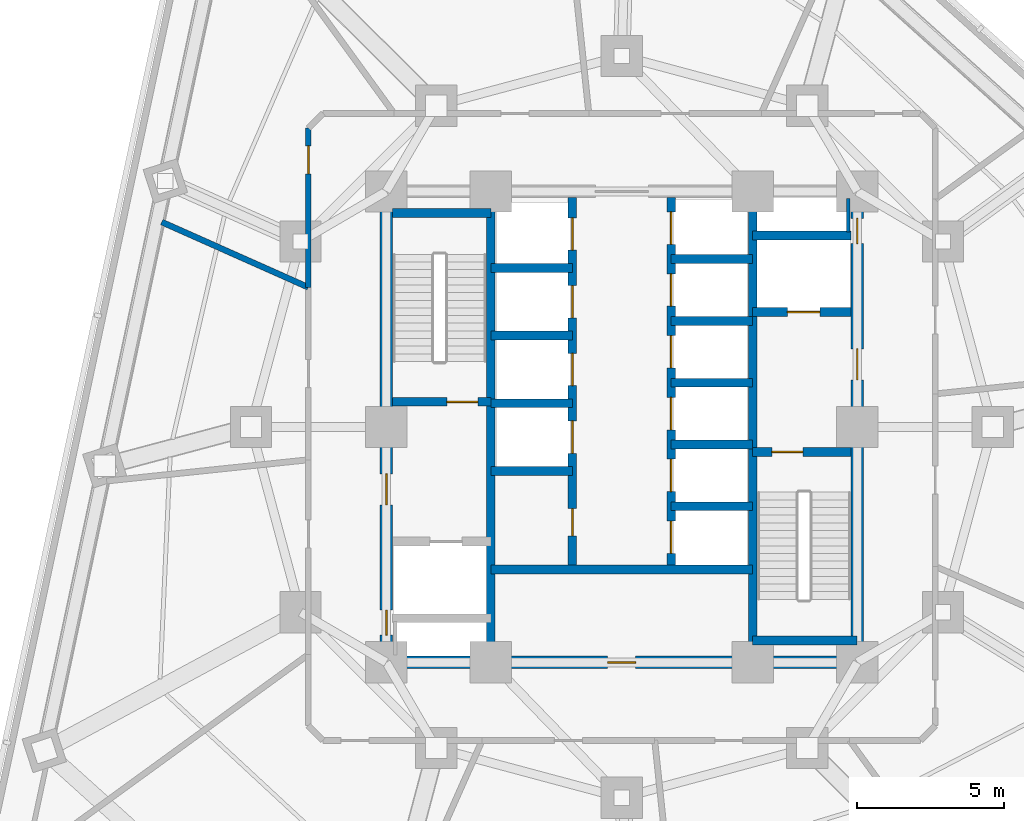
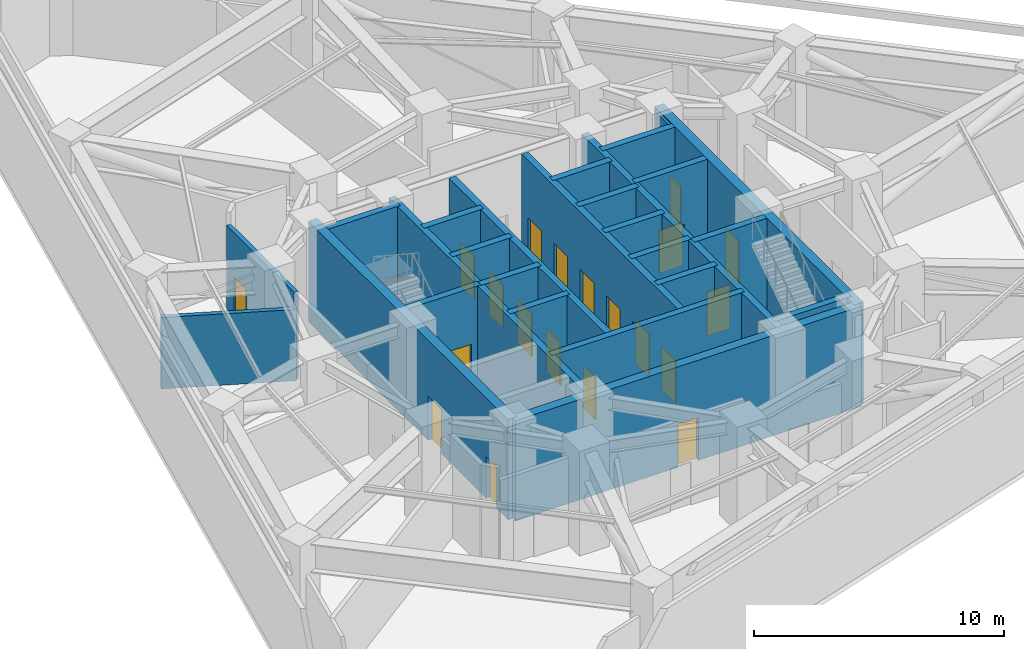
# One storey, part 4 of 10: 26 walls, 20 doors, 20 openings.
"""IFC4 building model written with IfcOpenShell, lengths in metres."""

import ifcopenshell
import ifcopenshell.guid

model = None  # the IFC model being written
_history = None  # IfcOwnerHistory: only IFC2X3 demands one
_inside = {}  # id of a spatial element -> (the spatial element, [elements in it])
_under = {}  # id of a project, library or spatial element -> (it, [spatial elements below it])
_declared = {}  # id of a project -> (the project, [libraries it declares])
_typed = {}  # id of a type object -> (the type object, [elements of that type])
_made_of = {}  # id of a material, layer set ... -> (it, [elements and type objects made of it])


def new_model(schema):
    """Start an empty IFC model of exactly this schema.

    Asked for "IFC4X3", IfcOpenShell would pick the latest addendum, in which some entities
    have other attributes; the version numbers below select the first issue.
    IFC2X3 requires an IfcOwnerHistory on every rooted entity: one is made here for all.
    """
    global model, _history
    if schema == "IFC4X3":
        model = ifcopenshell.file(schema_version=(4, 3, 0, 0))
    else:
        model = ifcopenshell.file(schema=schema)
    _inside.clear()
    _under.clear()
    _declared.clear()
    _typed.clear()
    _made_of.clear()
    _history = None
    if model.schema == "IFC2X3":
        org = make("IfcOrganization", Name="unknown")
        user = make(
            "IfcPersonAndOrganization",
            ThePerson=make("IfcPerson", FamilyName="unknown"),
            TheOrganization=org,
        )
        app = make(
            "IfcApplication",
            ApplicationDeveloper=org,
            Version="unknown",
            ApplicationFullName="unknown",
            ApplicationIdentifier="unknown",
        )
        _history = make(
            "IfcOwnerHistory",
            OwningUser=user,
            OwningApplication=app,
            ChangeAction="ADDED",
            CreationDate=0,
        )
    return model


def make(cls, **values):
    """One entity of the class cls with the attributes given. An attribute that is None is left unset."""
    return model.create_entity(
        cls, **{name: value for name, value in values.items() if value is not None}
    )


def rooted(cls, **values):
    """An entity with a GlobalId (a new one), such as an element, a storey or a relation."""
    return make(cls, GlobalId=ifcopenshell.guid.new(), OwnerHistory=_history, **values)


def si_unit(unit_type, name, prefix=None):
    """IfcSIUnit, for example si_unit("LENGTHUNIT", "METRE", prefix="MILLI")."""
    return make("IfcSIUnit", UnitType=unit_type, Prefix=prefix, Name=name)


def assignment(units):
    """IfcUnitAssignment: the units of a project."""
    return None if units is None else make("IfcUnitAssignment", Units=units)


def point(xyz):
    """IfcCartesianPoint."""
    return None if xyz is None else make("IfcCartesianPoint", Coordinates=xyz)


def direction(xyz):
    """IfcDirection."""
    return None if xyz is None else make("IfcDirection", DirectionRatios=xyz)


def frame(location, z_axis=None, x_axis=None):
    """IfcAxis2Placement3D, a coordinate frame: its origin and axes. An axis left out is left unset."""
    return make(
        "IfcAxis2Placement3D",
        Location=point(location),
        Axis=direction(z_axis),
        RefDirection=direction(x_axis),
    )


def frame_2d(location, x_axis=None):
    """IfcAxis2Placement2D, a coordinate frame in the plane: its origin and x axis."""
    return make(
        "IfcAxis2Placement2D", Location=point(location), RefDirection=direction(x_axis)
    )


def origin():
    """The frame at (0, 0, 0) with its axes left unset."""
    return frame((0.0, 0.0, 0.0))


def place(relative_to, where):
    """IfcLocalPlacement: puts the frame where relative to a parent placement (None: the world)."""
    return make(
        "IfcLocalPlacement", PlacementRelTo=relative_to, RelativePlacement=where
    )


def context(
    kind, dimensions, precision=None, world=None, true_north=None, identifier=None
):
    """IfcGeometricRepresentationContext, for example the 3D "Model" context."""
    return make(
        "IfcGeometricRepresentationContext",
        ContextIdentifier=identifier,
        ContextType=kind,
        CoordinateSpaceDimension=dimensions,
        Precision=precision,
        WorldCoordinateSystem=world,
        TrueNorth=true_north,
    )


def subcontext(parent, identifier, kind, view, scale=None):
    """IfcGeometricRepresentationSubContext, for example "Body" below "Model"."""
    return make(
        "IfcGeometricRepresentationSubContext",
        ContextIdentifier=identifier,
        ContextType=kind,
        ParentContext=parent,
        TargetScale=scale,
        TargetView=view,
    )


def project(units=None, contexts=None):
    """IfcProject with its units and contexts."""
    return rooted(
        "IfcProject",
        Name="project",
        RepresentationContexts=contexts,
        UnitsInContext=assignment(units),
    )


def spatial(cls, under=None, at=None, **own):
    """A site, building, storey or space (cls), placed at a placement, below another one or the project."""
    s = rooted(cls, ObjectPlacement=at, **own)
    if under is not None:
        _under.setdefault(under.id(), (under, []))[1].append(s)
    return s


def profile(cls, at=None, kind="AREA", **sizes):
    """A parametric profile (cls). Its sizes go by their IFC names, for example OverallWidth=200.0."""
    return make(cls, ProfileType=kind, Position=at, **sizes)


def rectangle(**sizes):
    """IfcRectangleProfileDef."""
    return profile("IfcRectangleProfileDef", **sizes)


def extrude(swept, where, along, depth):
    """IfcExtrudedAreaSolid: the profile swept, set in the frame where, extruded along a direction by depth."""
    return make(
        "IfcExtrudedAreaSolid",
        SweptArea=swept,
        Position=where,
        ExtrudedDirection=direction(along),
        Depth=depth,
    )


def shape(context_of_items, identifier, shape_type, items):
    """IfcShapeRepresentation: the items that make up one representation, for example the "Body"."""
    return make(
        "IfcShapeRepresentation",
        ContextOfItems=context_of_items,
        RepresentationIdentifier=identifier,
        RepresentationType=shape_type,
        Items=items,
    )


def material(Name=None, Category=None):
    """IfcMaterial."""
    return make("IfcMaterial", Name=Name, Category=Category)


def layer(
    of_material, thickness, ventilated=None, Name=None, Category=None, Priority=None
):
    """IfcMaterialLayer: one layer of a wall or slab, of a material (None: an air gap)."""
    return make(
        "IfcMaterialLayer",
        Material=of_material,
        LayerThickness=thickness,
        IsVentilated=ventilated,
        Name=Name,
        Category=Category,
        Priority=Priority,
    )


def layer_set(layers, Name=None):
    """IfcMaterialLayerSet."""
    return make("IfcMaterialLayerSet", MaterialLayers=layers, LayerSetName=Name)


def made_of(thing, what):
    """Note that an element or type object is made of a material, layer set ...; save() writes the relation."""
    if what is not None:
        _made_of.setdefault(what.id(), (what, []))[1].append(thing)
    return thing


def type_object(cls, material=None, **own):
    """A type object (cls), such as IfcWallType, which elements share."""
    return made_of(rooted(cls, **own), material)


def element(
    cls,
    number,
    at=None,
    inside=None,
    cuts=None,
    type_object=None,
    material=None,
    context=None,
    identifier="Body",
    shape_type=None,
    held_by="IfcProductDefinitionShape",
    body=None,
    shapes=None,
    **own,
):
    """One element of the class cls, such as IfcWall. Its Tag is "e" and its number.

    at: its placement. inside: the storey or other place that contains it. cuts: it is an
    opening in that element (IfcRelVoidsElement). A single representation is given by context,
    identifier, shape_type and body (its items); several are given by shapes. held_by: the class
    of the entity that holds the representations. save() writes the other relations.
    """
    e = rooted(cls, Tag="e%d" % number, ObjectPlacement=at, **own)
    if body is not None:
        shapes = [shape(context, identifier, shape_type, body)]
    if shapes is not None:
        e.Representation = make(held_by, Representations=shapes)
    if inside is not None:
        _inside.setdefault(inside.id(), (inside, []))[1].append(e)
    if cuts is not None:
        rooted(
            "IfcRelVoidsElement", RelatingBuildingElement=cuts, RelatedOpeningElement=e
        )
    if type_object is not None:
        _typed.setdefault(type_object.id(), (type_object, []))[1].append(e)
    return made_of(e, material)


def fill(opening, filler):
    """IfcRelFillsElement: the door or window that sits in an opening."""
    return rooted(
        "IfcRelFillsElement",
        RelatingOpeningElement=opening,
        RelatedBuildingElement=filler,
    )


def aggregate(whole, parts):
    """IfcRelAggregates: a whole, such as a stair, and the parts it consists of."""
    return rooted("IfcRelAggregates", RelatingObject=whole, RelatedObjects=parts)


def save(model, path):
    """Write the relations noted so far, then the file.

    IfcRelAggregates (storeys below a building ...), IfcRelContainedInSpatialStructure (elements
    in a storey), IfcRelDefinesByType, IfcRelAssociatesMaterial and IfcRelDeclares: one each for
    every whole, place, type object, material and project.
    """
    for whole, parts in _under.values():
        aggregate(whole, parts)
    for where, things in _inside.values():
        rooted(
            "IfcRelContainedInSpatialStructure",
            RelatedElements=things,
            RelatingStructure=where,
        )
    for kind, things in _typed.values():
        rooted("IfcRelDefinesByType", RelatedObjects=things, RelatingType=kind)
    for what, things in _made_of.values():
        rooted("IfcRelAssociatesMaterial", RelatedObjects=things, RelatingMaterial=what)
    for by, libraries in _declared.values():
        rooted("IfcRelDeclares", RelatingContext=by, RelatedDefinitions=libraries)
    model.write(path)


model = new_model("IFC4")

# Units and contexts
model_context = context("Model", 3, precision=1e-05, world=origin(), true_north=direction((0.0, 1.0)))
body_context = subcontext(model_context, "Body", "Model", "MODEL_VIEW")
ifc_project = project(units=[si_unit("LENGTHUNIT", "METRE"), si_unit("AREAUNIT", "SQUARE_METRE"), si_unit("VOLUMEUNIT", "CUBIC_METRE"), si_unit("PLANEANGLEUNIT", "RADIAN"), si_unit("MASSUNIT", "GRAM", prefix="KILO")], contexts=[model_context])

# Site, building, storey
site_placement = place(None, origin())
site = spatial("IfcSite", under=ifc_project, at=site_placement, CompositionType="ELEMENT")
building_placement = place(site_placement, origin())
building = spatial("IfcBuilding", under=site, at=building_placement, Name="Terralouvre Media Tower", CompositionType="ELEMENT")
storey_placement = place(building_placement, frame((0.0, 0.0, 85.199951171875)))
storey = spatial("IfcBuildingStorey", under=building, at=storey_placement, Name="L21", CompositionType="ELEMENT", Elevation=85.199951171875)

# Walls
ifc_material_1 = material(Name="Concrete C50/60", Category="concrete")
ifc_layer_1 = layer(ifc_material_1, 0.300048828125, Name="Core Internal Shaft Wall CW-300")
ifc_layer_set_1 = layer_set([ifc_layer_1], Name="Concrete C50/60")
wall_type_1 = type_object("IfcWallType", Name="Core Internal Shaft Wall CW-300", PredefinedType="SHEAR", material=ifc_layer_set_1)
for number, where, z_axis, x_axis, name in (
    (1, (-4.449951171875, -7.7900390625, 0.0), (0.0, 0.0, 1.0), (0.0, 1.0, 0.0), "L21 Core Shaft Wall SPW"),
    (2, (4.449951171875, -7.7900390625, 0.0), (0.0, 0.0, 1.0), (0.0, 1.0, 0.0), "L21 Core Shaft Wall SPE"),
):
    element("IfcWall", number, at=place(storey_placement, frame(where, z_axis=z_axis, x_axis=x_axis)), inside=storey, type_object=wall_type_1, Name=name, PredefinedType="SHEAR", context=body_context, shape_type="SweptSolid", body=[
        extrude(rectangle(XDim=15.580078125, YDim=0.300048828125, at=frame_2d((7.7900390625, 0.0))), origin(), (0.0, 0.0, 1.0), 4.900146484375),
    ])

# Wall, opening, door
wall_1_placement = place(storey_placement, frame((-7.7900390625, 0.85009765625, 0.0), z_axis=(0.0, 0.0, 1.0), x_axis=(1.0, 0.0, 0.0)))
wall_1 = element("IfcWall", 3, at=wall_1_placement, inside=storey, type_object=wall_type_1, Name="L21 Core Shaft Wall ST1D", PredefinedType="SHEAR", context=body_context, shape_type="SweptSolid", body=[
    extrude(rectangle(XDim=3.340087890625, YDim=0.300048828125, at=frame_2d((1.669921875, 0.0))), origin(), (0.0, 0.0, 1.0), 4.900146484375),
])
opening_1_placement = place(wall_1_placement, frame((1.85009765625, 0.0, 0.0)))
opening_1 = element("IfcOpeningElement", 4, at=opening_1_placement, cuts=wall_1, Name="Opening FD-01-105X215", PredefinedType="OPENING", context=body_context, shape_type="SweptSolid", body=[
    extrude(rectangle(XDim=1.050048828125, YDim=2.14990234375, at=frame_2d((0.52490234375, 1.074951171875))), frame((0.0, 0.159912109375, 0.0), z_axis=(0.0, -1.0, 0.0), x_axis=(1.0, 0.0, 0.0)), (0.0, 0.0, 1.0), 0.320068359375),
])
ifc_material_2 = material(Name="Galvanised steel fire-resisting leaf", Category="steel")
door_type_1 = type_object("IfcDoorType", Name="Stair and Firefighting Lobby Fire Door FD-01 (1050x2150)", OperationType="NOTDEFINED", PredefinedType="DOOR", material=ifc_material_2)
door_1_placement = place(opening_1_placement, origin())
door_1 = element("IfcDoor", 5, at=door_1_placement, inside=storey, type_object=door_type_1, Name="L21 ST-01 Exit Stair Door", OperationType="SINGLE_SWING_LEFT", OverallHeight=2.14990234375, OverallWidth=1.050048828125, PredefinedType="DOOR", context=body_context, shape_type="SweptSolid", body=[
    extrude(rectangle(XDim=1.050048828125, YDim=2.14990234375, at=frame_2d((0.52490234375, 1.074951171875))), frame((0.0, 0.02490234375, 0.0), z_axis=(0.0, -1.0, 0.0), x_axis=(1.0, 0.0, 0.0)), (0.0, 0.0, 1.0), 0.050048828125),
])
fill(opening_1, door_1)

# Wall
wall_2_placement = place(storey_placement, frame((-7.7900390625, 7.260009765625, 0.0), z_axis=(0.0, 0.0, 1.0), x_axis=(1.0, 0.0, 0.0)))
element("IfcWall", 6, at=wall_2_placement, inside=storey, type_object=wall_type_1, Name="L21 Core Shaft Wall ST1F", PredefinedType="SHEAR", context=body_context, shape_type="SweptSolid", body=[
    extrude(rectangle(XDim=3.340087890625, YDim=0.300048828125, at=frame_2d((1.669921875, 0.0))), origin(), (0.0, 0.0, 1.0), 4.900146484375),
])

# Wall, opening, door
wall_3_placement = place(storey_placement, frame((4.449951171875, -0.85009765625, 0.0), z_axis=(0.0, 0.0, 1.0), x_axis=(1.0, 0.0, 0.0)))
wall_3 = element("IfcWall", 7, at=wall_3_placement, inside=storey, type_object=wall_type_1, Name="L21 Core Shaft Wall ST2D", PredefinedType="SHEAR", context=body_context, shape_type="SweptSolid", body=[
    extrude(rectangle(XDim=3.340087890625, YDim=0.300048828125, at=frame_2d((1.669921875, 0.0))), origin(), (0.0, 0.0, 1.0), 4.900146484375),
])
opening_2_placement = place(wall_3_placement, frame((0.64990234375, 0.0, 0.0)))
opening_2 = element("IfcOpeningElement", 8, at=opening_2_placement, cuts=wall_3, Name="Opening FD-01-105X215", PredefinedType="OPENING", context=body_context, shape_type="SweptSolid", body=[
    extrude(rectangle(XDim=1.050048828125, YDim=2.14990234375, at=frame_2d((0.52490234375, 1.074951171875))), frame((0.0, 0.159912109375, 0.0), z_axis=(0.0, -1.0, 0.0), x_axis=(1.0, 0.0, 0.0)), (0.0, 0.0, 1.0), 0.320068359375),
])
door_2_placement = place(opening_2_placement, origin())
door_2 = element("IfcDoor", 9, at=door_2_placement, inside=storey, type_object=door_type_1, Name="L21 ST-02 Exit Stair Door", OperationType="SINGLE_SWING_RIGHT", OverallHeight=2.14990234375, OverallWidth=1.050048828125, PredefinedType="DOOR", context=body_context, shape_type="SweptSolid", body=[
    extrude(rectangle(XDim=1.050048828125, YDim=2.14990234375, at=frame_2d((0.52490234375, 1.074951171875))), frame((0.0, 0.02490234375, 0.0), z_axis=(0.0, -1.0, 0.0), x_axis=(1.0, 0.0, 0.0)), (0.0, 0.0, 1.0), 0.050048828125),
])
fill(opening_2, door_2)

# Wall
wall_4_placement = place(storey_placement, frame((4.449951171875, -7.260009765625, 0.0), z_axis=(0.0, 0.0, 1.0), x_axis=(1.0, 0.0, 0.0)))
element("IfcWall", 10, at=wall_4_placement, inside=storey, type_object=wall_type_1, Name="L21 Core Shaft Wall ST2F", PredefinedType="SHEAR", context=body_context, shape_type="SweptSolid", body=[
    extrude(rectangle(XDim=3.550048828125, YDim=0.300048828125, at=frame_2d((1.77490234375, 0.0))), origin(), (0.0, 0.0, 1.0), 4.900146484375),
])

# Wall, opening, door
wall_5_placement = place(storey_placement, frame((4.449951171875, 3.89990234375, 0.0), z_axis=(0.0, 0.0, 1.0), x_axis=(1.0, 0.0, 0.0)))
wall_5 = element("IfcWall", 11, at=wall_5_placement, inside=storey, type_object=wall_type_1, Name="L21 Core Shaft Wall FF2S", PredefinedType="SHEAR", context=body_context, shape_type="SweptSolid", body=[
    extrude(rectangle(XDim=3.340087890625, YDim=0.300048828125, at=frame_2d((1.669921875, 0.0))), origin(), (0.0, 0.0, 1.0), 4.900146484375),
])
opening_3_placement = place(wall_5_placement, frame((1.179931640625, 0.0, 0.0)))
opening_3 = element("IfcOpeningElement", 12, at=opening_3_placement, cuts=wall_5, Name="Opening LD-FF", PredefinedType="OPENING", context=body_context, shape_type="SweptSolid", body=[
    extrude(rectangle(XDim=1.10009765625, YDim=2.10009765625, at=frame_2d((0.550048828125, 1.050048828125))), frame((0.0, 0.159912109375, 0.0), z_axis=(0.0, -1.0, 0.0), x_axis=(1.0, 0.0, 0.0)), (0.0, 0.0, 1.0), 0.320068359375),
])
ifc_material_3 = material(Name="Stainless steel 316 handrail and balustrade", Category="steel")
door_type_2 = type_object("IfcDoorType", Name="Firefighting Lift Sliding Landing Door LD-FF", OperationType="SLIDING_TO_LEFT", PredefinedType="DOOR", material=ifc_material_3)
door_3_placement = place(opening_3_placement, origin())
door_3 = element("IfcDoor", 13, at=door_3_placement, inside=storey, type_object=door_type_2, Name="L21 Firefighting Lift FFL-02 Landing Door", OperationType="SLIDING_TO_LEFT", OverallHeight=2.10009765625, OverallWidth=1.10009765625, PredefinedType="DOOR", context=body_context, shape_type="SweptSolid", body=[
    extrude(rectangle(XDim=1.10009765625, YDim=2.10009765625, at=frame_2d((0.550048828125, 1.050048828125))), frame((0.0, 0.02490234375, 0.0), z_axis=(0.0, -1.0, 0.0), x_axis=(1.0, 0.0, 0.0)), (0.0, 0.0, 1.0), 0.050048828125),
])
fill(opening_3, door_3)

# Walls
wall_6_placement = place(storey_placement, frame((4.449951171875, 6.5, 0.0), z_axis=(0.0, 0.0, 1.0), x_axis=(1.0, 0.0, 0.0)))
element("IfcWall", 14, at=wall_6_placement, inside=storey, type_object=wall_type_1, Name="L21 Core Shaft Wall FF2N", PredefinedType="SHEAR", context=body_context, shape_type="SweptSolid", body=[
    extrude(rectangle(XDim=3.340087890625, YDim=0.300048828125, at=frame_2d((1.669921875, 0.0))), origin(), (0.0, 0.0, 1.0), 4.900146484375),
])
wall_7_placement = place(storey_placement, frame((-4.449951171875, -4.85009765625, 0.0), z_axis=(0.0, 0.0, 1.0), x_axis=(1.0, 0.0, 0.0)))
element("IfcWall", 15, at=wall_7_placement, inside=storey, type_object=wall_type_1, Name="L21 Core Shaft Wall CSBN", PredefinedType="SHEAR", context=body_context, shape_type="SweptSolid", body=[
    extrude(rectangle(XDim=8.89990234375, YDim=0.300048828125, at=frame_2d((4.449951171875, 0.0))), origin(), (0.0, 0.0, 1.0), 4.900146484375),
])

# Wall, openings, doors
wall_8_placement = place(storey_placement, frame((-1.679931640625, -4.85009765625, 0.0), z_axis=(0.0, 0.0, 1.0), x_axis=(0.0, 1.0, 0.0)))
wall_8 = element("IfcWall", 16, at=wall_8_placement, inside=storey, type_object=wall_type_1, Name="L21 Core Shaft Wall LBW", PredefinedType="SHEAR", context=body_context, shape_type="SweptSolid", body=[
    extrude(rectangle(XDim=12.64013671875, YDim=0.300048828125, at=frame_2d((6.320068359375, 0.0))), origin(), (0.0, 0.0, 1.0), 4.900146484375),
])
opening_4_placement = place(wall_8_placement, frame((3.949951171875, 0.0, 0.0)))
opening_4 = element("IfcOpeningElement", 17, at=opening_4_placement, cuts=wall_8, Name="Opening LD-PL", PredefinedType="OPENING", context=body_context, shape_type="SweptSolid", body=[
    extrude(rectangle(XDim=1.10009765625, YDim=2.10009765625, at=frame_2d((0.550048828125, 1.050048828125))), frame((0.0, 0.159912109375, 0.0), z_axis=(0.0, -1.0, 0.0), x_axis=(1.0, 0.0, 0.0)), (0.0, 0.0, 1.0), 0.320068359375),
])
opening_5_placement = place(wall_8_placement, frame((6.25, 0.0, 0.0)))
opening_5 = element("IfcOpeningElement", 18, at=opening_5_placement, cuts=wall_8, Name="Opening LD-PL", PredefinedType="OPENING", context=body_context, shape_type="SweptSolid", body=[
    extrude(rectangle(XDim=1.10009765625, YDim=2.10009765625, at=frame_2d((0.550048828125, 1.050048828125))), frame((0.0, 0.159912109375, 0.0), z_axis=(0.0, -1.0, 0.0), x_axis=(1.0, 0.0, 0.0)), (0.0, 0.0, 1.0), 0.320068359375),
])
opening_6_placement = place(wall_8_placement, frame((8.550048828125, 0.0, 0.0)))
opening_6 = element("IfcOpeningElement", 19, at=opening_6_placement, cuts=wall_8, Name="Opening LD-PL", PredefinedType="OPENING", context=body_context, shape_type="SweptSolid", body=[
    extrude(rectangle(XDim=1.10009765625, YDim=2.10009765625, at=frame_2d((0.550048828125, 1.050048828125))), frame((0.0, 0.159912109375, 0.0), z_axis=(0.0, -1.0, 0.0), x_axis=(1.0, 0.0, 0.0)), (0.0, 0.0, 1.0), 0.320068359375),
])
opening_7_placement = place(wall_8_placement, frame((10.85009765625, 0.0, 0.0)))
opening_7 = element("IfcOpeningElement", 20, at=opening_7_placement, cuts=wall_8, Name="Opening LD-PL", PredefinedType="OPENING", context=body_context, shape_type="SweptSolid", body=[
    extrude(rectangle(XDim=1.10009765625, YDim=2.10009765625, at=frame_2d((0.550048828125, 1.050048828125))), frame((0.0, 0.159912109375, 0.0), z_axis=(0.0, -1.0, 0.0), x_axis=(1.0, 0.0, 0.0)), (0.0, 0.0, 1.0), 0.320068359375),
])
opening_8_placement = place(wall_8_placement, frame((1.14990234375, 0.0, 0.0)))
opening_8 = element("IfcOpeningElement", 21, at=opening_8_placement, cuts=wall_8, Name="Opening FD-05-92X210", PredefinedType="OPENING", context=body_context, shape_type="SweptSolid", body=[
    extrude(rectangle(XDim=0.919921875, YDim=2.10009765625, at=frame_2d((0.4599609375, 1.050048828125))), frame((0.0, 0.159912109375, 0.0), z_axis=(0.0, -1.0, 0.0), x_axis=(1.0, 0.0, 0.0)), (0.0, 0.0, 1.0), 0.320068359375),
])
ifc_material_4 = material(Name="Galvanised steel fire-resisting leaf", Category="steel")
door_type_3 = type_object("IfcDoorType", Name="Core Accessible Closet Fire Door FD-05 (920x2100)", OperationType="NOTDEFINED", PredefinedType="DOOR", material=ifc_material_4)
door_4_placement = place(opening_8_placement, origin())
door_4 = element("IfcDoor", 22, at=door_4_placement, inside=storey, type_object=door_type_3, Name="L21 Core Cleaners Closet Door", OperationType="SINGLE_SWING_LEFT", OverallHeight=2.10009765625, OverallWidth=0.919921875, PredefinedType="DOOR", context=body_context, shape_type="SweptSolid", body=[
    extrude(rectangle(XDim=0.919921875, YDim=2.10009765625, at=frame_2d((0.4599609375, 1.050048828125))), frame((0.0, 0.02490234375, 0.0), z_axis=(0.0, -1.0, 0.0), x_axis=(1.0, 0.0, 0.0)), (0.0, 0.0, 1.0), 0.050048828125),
])
fill(opening_8, door_4)
ifc_material_5 = material(Name="Stainless steel 316 handrail and balustrade", Category="steel")
door_type_4 = type_object("IfcDoorType", Name="Passenger Lift Sliding Landing Door LD-PL", OperationType="SLIDING_TO_LEFT", PredefinedType="DOOR", material=ifc_material_5)
door_5_placement = place(opening_4_placement, origin())
door_5 = element("IfcDoor", 23, at=door_5_placement, inside=storey, type_object=door_type_4, Name="L21 Low-Rise Lift PL-L1 Landing Door", OperationType="SLIDING_TO_LEFT", OverallHeight=2.10009765625, OverallWidth=1.10009765625, PredefinedType="DOOR", context=body_context, shape_type="SweptSolid", body=[
    extrude(rectangle(XDim=1.10009765625, YDim=2.10009765625, at=frame_2d((0.550048828125, 1.050048828125))), frame((0.0, 0.02490234375, 0.0), z_axis=(0.0, -1.0, 0.0), x_axis=(1.0, 0.0, 0.0)), (0.0, 0.0, 1.0), 0.050048828125),
])
fill(opening_4, door_5)
door_6_placement = place(opening_5_placement, origin())
door_6 = element("IfcDoor", 24, at=door_6_placement, inside=storey, type_object=door_type_4, Name="L21 Low-Rise Lift PL-L2 Landing Door", OperationType="SLIDING_TO_LEFT", OverallHeight=2.10009765625, OverallWidth=1.10009765625, PredefinedType="DOOR", context=body_context, shape_type="SweptSolid", body=[
    extrude(rectangle(XDim=1.10009765625, YDim=2.10009765625, at=frame_2d((0.550048828125, 1.050048828125))), frame((0.0, 0.02490234375, 0.0), z_axis=(0.0, -1.0, 0.0), x_axis=(1.0, 0.0, 0.0)), (0.0, 0.0, 1.0), 0.050048828125),
])
fill(opening_5, door_6)
door_7_placement = place(opening_6_placement, origin())
door_7 = element("IfcDoor", 25, at=door_7_placement, inside=storey, type_object=door_type_4, Name="L21 Low-Rise Lift PL-L3 Landing Door", OperationType="SLIDING_TO_LEFT", OverallHeight=2.10009765625, OverallWidth=1.10009765625, PredefinedType="DOOR", context=body_context, shape_type="SweptSolid", body=[
    extrude(rectangle(XDim=1.10009765625, YDim=2.10009765625, at=frame_2d((0.550048828125, 1.050048828125))), frame((0.0, 0.02490234375, 0.0), z_axis=(0.0, -1.0, 0.0), x_axis=(1.0, 0.0, 0.0)), (0.0, 0.0, 1.0), 0.050048828125),
])
fill(opening_6, door_7)
door_8_placement = place(opening_7_placement, origin())
door_8 = element("IfcDoor", 26, at=door_8_placement, inside=storey, type_object=door_type_4, Name="L21 Low-Rise Lift PL-L4 Landing Door", OperationType="SLIDING_TO_LEFT", OverallHeight=2.10009765625, OverallWidth=1.10009765625, PredefinedType="DOOR", context=body_context, shape_type="SweptSolid", body=[
    extrude(rectangle(XDim=1.10009765625, YDim=2.10009765625, at=frame_2d((0.550048828125, 1.050048828125))), frame((0.0, 0.02490234375, 0.0), z_axis=(0.0, -1.0, 0.0), x_axis=(1.0, 0.0, 0.0)), (0.0, 0.0, 1.0), 0.050048828125),
])
fill(opening_7, door_8)

wall_9_placement = place(storey_placement, frame((1.679931640625, -4.85009765625, 0.0), z_axis=(0.0, 0.0, 1.0), x_axis=(0.0, 1.0, 0.0)))
wall_9 = element("IfcWall", 27, at=wall_9_placement, inside=storey, type_object=wall_type_1, Name="L21 Core Shaft Wall LBE", PredefinedType="SHEAR", context=body_context, shape_type="SweptSolid", body=[
    extrude(rectangle(XDim=12.64013671875, YDim=0.300048828125, at=frame_2d((6.320068359375, 0.0))), origin(), (0.0, 0.0, 1.0), 4.900146484375),
])
opening_9_placement = place(wall_9_placement, frame((0.550048828125, 0.0, 0.0)))
opening_9 = element("IfcOpeningElement", 28, at=opening_9_placement, cuts=wall_9, Name="Opening LD-PL", PredefinedType="OPENING", context=body_context, shape_type="SweptSolid", body=[
    extrude(rectangle(XDim=1.10009765625, YDim=2.10009765625, at=frame_2d((0.550048828125, 1.050048828125))), frame((0.0, 0.159912109375, 0.0), z_axis=(0.0, -1.0, 0.0), x_axis=(1.0, 0.0, 0.0)), (0.0, 0.0, 1.0), 0.320068359375),
])
opening_10_placement = place(wall_9_placement, frame((2.64990234375, 0.0, 0.0)))
opening_10 = element("IfcOpeningElement", 29, at=opening_10_placement, cuts=wall_9, Name="Opening LD-PL", PredefinedType="OPENING", context=body_context, shape_type="SweptSolid", body=[
    extrude(rectangle(XDim=1.10009765625, YDim=2.10009765625, at=frame_2d((0.550048828125, 1.050048828125))), frame((0.0, 0.159912109375, 0.0), z_axis=(0.0, -1.0, 0.0), x_axis=(1.0, 0.0, 0.0)), (0.0, 0.0, 1.0), 0.320068359375),
])
opening_11_placement = place(wall_9_placement, frame((4.75, 0.0, 0.0)))
opening_11 = element("IfcOpeningElement", 30, at=opening_11_placement, cuts=wall_9, Name="Opening LD-PL", PredefinedType="OPENING", context=body_context, shape_type="SweptSolid", body=[
    extrude(rectangle(XDim=1.10009765625, YDim=2.10009765625, at=frame_2d((0.550048828125, 1.050048828125))), frame((0.0, 0.159912109375, 0.0), z_axis=(0.0, -1.0, 0.0), x_axis=(1.0, 0.0, 0.0)), (0.0, 0.0, 1.0), 0.320068359375),
])
opening_12_placement = place(wall_9_placement, frame((6.85009765625, 0.0, 0.0)))
opening_12 = element("IfcOpeningElement", 31, at=opening_12_placement, cuts=wall_9, Name="Opening LD-PL", PredefinedType="OPENING", context=body_context, shape_type="SweptSolid", body=[
    extrude(rectangle(XDim=1.10009765625, YDim=2.10009765625, at=frame_2d((0.550048828125, 1.050048828125))), frame((0.0, 0.159912109375, 0.0), z_axis=(0.0, -1.0, 0.0), x_axis=(1.0, 0.0, 0.0)), (0.0, 0.0, 1.0), 0.320068359375),
])
opening_13_placement = place(wall_9_placement, frame((8.949951171875, 0.0, 0.0)))
opening_13 = element("IfcOpeningElement", 32, at=opening_13_placement, cuts=wall_9, Name="Opening LD-PL", PredefinedType="OPENING", context=body_context, shape_type="SweptSolid", body=[
    extrude(rectangle(XDim=1.10009765625, YDim=2.10009765625, at=frame_2d((0.550048828125, 1.050048828125))), frame((0.0, 0.159912109375, 0.0), z_axis=(0.0, -1.0, 0.0), x_axis=(1.0, 0.0, 0.0)), (0.0, 0.0, 1.0), 0.320068359375),
])
opening_14_placement = place(wall_9_placement, frame((11.050048828125, 0.0, 0.0)))
opening_14 = element("IfcOpeningElement", 33, at=opening_14_placement, cuts=wall_9, Name="Opening LD-PL", PredefinedType="OPENING", context=body_context, shape_type="SweptSolid", body=[
    extrude(rectangle(XDim=1.10009765625, YDim=2.10009765625, at=frame_2d((0.550048828125, 1.050048828125))), frame((0.0, 0.159912109375, 0.0), z_axis=(0.0, -1.0, 0.0), x_axis=(1.0, 0.0, 0.0)), (0.0, 0.0, 1.0), 0.320068359375),
])
door_9_placement = place(opening_9_placement, origin())
door_9 = element("IfcDoor", 34, at=door_9_placement, inside=storey, type_object=door_type_4, Name="L21 High-Rise Lift PL-H1 Landing Door", OperationType="SLIDING_TO_LEFT", OverallHeight=2.10009765625, OverallWidth=1.10009765625, PredefinedType="DOOR", context=body_context, shape_type="SweptSolid", body=[
    extrude(rectangle(XDim=1.10009765625, YDim=2.10009765625, at=frame_2d((0.550048828125, 1.050048828125))), frame((0.0, 0.02490234375, 0.0), z_axis=(0.0, -1.0, 0.0), x_axis=(1.0, 0.0, 0.0)), (0.0, 0.0, 1.0), 0.050048828125),
])
fill(opening_9, door_9)
door_10_placement = place(opening_10_placement, origin())
door_10 = element("IfcDoor", 35, at=door_10_placement, inside=storey, type_object=door_type_4, Name="L21 High-Rise Lift PL-H2 Landing Door", OperationType="SLIDING_TO_LEFT", OverallHeight=2.10009765625, OverallWidth=1.10009765625, PredefinedType="DOOR", context=body_context, shape_type="SweptSolid", body=[
    extrude(rectangle(XDim=1.10009765625, YDim=2.10009765625, at=frame_2d((0.550048828125, 1.050048828125))), frame((0.0, 0.02490234375, 0.0), z_axis=(0.0, -1.0, 0.0), x_axis=(1.0, 0.0, 0.0)), (0.0, 0.0, 1.0), 0.050048828125),
])
fill(opening_10, door_10)
door_11_placement = place(opening_11_placement, origin())
door_11 = element("IfcDoor", 36, at=door_11_placement, inside=storey, type_object=door_type_4, Name="L21 High-Rise Lift PL-H3 Landing Door", OperationType="SLIDING_TO_LEFT", OverallHeight=2.10009765625, OverallWidth=1.10009765625, PredefinedType="DOOR", context=body_context, shape_type="SweptSolid", body=[
    extrude(rectangle(XDim=1.10009765625, YDim=2.10009765625, at=frame_2d((0.550048828125, 1.050048828125))), frame((0.0, 0.02490234375, 0.0), z_axis=(0.0, -1.0, 0.0), x_axis=(1.0, 0.0, 0.0)), (0.0, 0.0, 1.0), 0.050048828125),
])
fill(opening_11, door_11)
door_12_placement = place(opening_12_placement, origin())
door_12 = element("IfcDoor", 37, at=door_12_placement, inside=storey, type_object=door_type_4, Name="L21 Mid-Rise Lift PL-M1 Landing Door", OperationType="SLIDING_TO_LEFT", OverallHeight=2.10009765625, OverallWidth=1.10009765625, PredefinedType="DOOR", context=body_context, shape_type="SweptSolid", body=[
    extrude(rectangle(XDim=1.10009765625, YDim=2.10009765625, at=frame_2d((0.550048828125, 1.050048828125))), frame((0.0, 0.02490234375, 0.0), z_axis=(0.0, -1.0, 0.0), x_axis=(1.0, 0.0, 0.0)), (0.0, 0.0, 1.0), 0.050048828125),
])
fill(opening_12, door_12)
door_13_placement = place(opening_13_placement, origin())
door_13 = element("IfcDoor", 38, at=door_13_placement, inside=storey, type_object=door_type_4, Name="L21 Mid-Rise Lift PL-M2 Landing Door", OperationType="SLIDING_TO_LEFT", OverallHeight=2.10009765625, OverallWidth=1.10009765625, PredefinedType="DOOR", context=body_context, shape_type="SweptSolid", body=[
    extrude(rectangle(XDim=1.10009765625, YDim=2.10009765625, at=frame_2d((0.550048828125, 1.050048828125))), frame((0.0, 0.02490234375, 0.0), z_axis=(0.0, -1.0, 0.0), x_axis=(1.0, 0.0, 0.0)), (0.0, 0.0, 1.0), 0.050048828125),
])
fill(opening_13, door_13)
door_14_placement = place(opening_14_placement, origin())
door_14 = element("IfcDoor", 39, at=door_14_placement, inside=storey, type_object=door_type_4, Name="L21 Mid-Rise Lift PL-M3 Landing Door", OperationType="SLIDING_TO_LEFT", OverallHeight=2.10009765625, OverallWidth=1.10009765625, PredefinedType="DOOR", context=body_context, shape_type="SweptSolid", body=[
    extrude(rectangle(XDim=1.10009765625, YDim=2.10009765625, at=frame_2d((0.550048828125, 1.050048828125))), frame((0.0, 0.02490234375, 0.0), z_axis=(0.0, -1.0, 0.0), x_axis=(1.0, 0.0, 0.0)), (0.0, 0.0, 1.0), 0.050048828125),
])
fill(opening_14, door_14)

# Walls
for number, where, z_axis, x_axis, name in (
    (40, (-4.449951171875, -1.5, 0.0), (0.0, 0.0, 1.0), (1.0, 0.0, 0.0), "L21 Core Shaft Wall PLLD0"),
    (41, (-4.449951171875, 0.800048828125, 0.0), (0.0, 0.0, 1.0), (1.0, 0.0, 0.0), "L21 Core Shaft Wall PLLD1"),
    (42, (-4.449951171875, 3.10009765625, 0.0), (0.0, 0.0, 1.0), (1.0, 0.0, 0.0), "L21 Core Shaft Wall PLLD2"),
    (43, (-4.449951171875, 5.39990234375, 0.0), (0.0, 0.0, 1.0), (1.0, 0.0, 0.0), "L21 Core Shaft Wall PLLD3"),
    (44, (1.679931640625, 1.5, 0.0), (0.0, 0.0, 1.0), (1.0, 0.0, 0.0), "L21 Core Shaft Wall PLMD0"),
    (45, (1.679931640625, 3.60009765625, 0.0), (0.0, 0.0, 1.0), (1.0, 0.0, 0.0), "L21 Core Shaft Wall PLMD1"),
    (46, (1.679931640625, 5.699951171875, 0.0), (0.0, 0.0, 1.0), (1.0, 0.0, 0.0), "L21 Core Shaft Wall PLMD2"),
    (47, (1.679931640625, -2.699951171875, 0.0), (0.0, 0.0, 1.0), (1.0, 0.0, 0.0), "L21 Core Shaft Wall PLHD1"),
    (48, (1.679931640625, -0.60009765625, 0.0), (0.0, 0.0, 1.0), (1.0, 0.0, 0.0), "L21 Core Shaft Wall PLHD2"),
):
    element("IfcWall", number, at=place(storey_placement, frame(where, z_axis=z_axis, x_axis=x_axis)), inside=storey, type_object=wall_type_1, Name=name, PredefinedType="SHEAR", context=body_context, shape_type="SweptSolid", body=[
        extrude(rectangle(XDim=2.77001953125, YDim=0.300048828125, at=frame_2d((1.385009765625, 0.0))), origin(), (0.0, 0.0, 1.0), 4.900146484375),
    ])

# Wall, openings, doors
ifc_material_6 = material(Name="Concrete C60/75", Category="concrete")
ifc_layer_2 = layer(ifc_material_6, 0.419921875, Name="Core Reinforced Concrete Shear Wall CW-420")
ifc_layer_set_2 = layer_set([ifc_layer_2], Name="Concrete C60/75")
wall_type_2 = type_object("IfcWallType", Name="Core Reinforced Concrete Shear Wall CW-420", PredefinedType="SHEAR", material=ifc_layer_set_2)
wall_10_placement = place(storey_placement, frame((-8.0, -8.0, 0.0), z_axis=(0.0, 0.0, 1.0), x_axis=(0.0, 1.0, 0.0)))
wall_10 = element("IfcWall", 49, at=wall_10_placement, inside=storey, type_object=wall_type_2, Name="L21 W Core Shear Wall", PredefinedType="SHEAR", context=body_context, shape_type="SweptSolid", body=[
    extrude(rectangle(XDim=16.0, YDim=0.419921875, at=frame_2d((8.0, 0.0))), origin(), (0.0, 0.0, 1.0), 4.900146484375),
])
opening_15_placement = place(wall_10_placement, frame((0.921630859375, 0.0, 0.0)))
opening_15 = element("IfcOpeningElement", 50, at=opening_15_placement, cuts=wall_10, Name="Opening TD-R1", PredefinedType="OPENING", context=body_context, shape_type="SweptSolid", body=[
    extrude(rectangle(XDim=0.85009765625, YDim=2.02001953125, at=frame_2d((0.425048828125, 1.010009765625))), frame((0.0, 0.219970703125, 0.0), z_axis=(0.0, -1.0, 0.0), x_axis=(1.0, 0.0, 0.0)), (0.0, 0.0, 1.0), 0.43994140625),
])
opening_16_placement = place(wall_10_placement, frame((5.35009765625, 0.0, 0.0)))
opening_16 = element("IfcOpeningElement", 51, at=opening_16_placement, cuts=wall_10, Name="Opening FD-01-105X215", PredefinedType="OPENING", context=body_context, shape_type="SweptSolid", body=[
    extrude(rectangle(XDim=1.050048828125, YDim=2.14990234375, at=frame_2d((0.52490234375, 1.074951171875))), frame((0.0, 0.219970703125, 0.0), z_axis=(0.0, -1.0, 0.0), x_axis=(1.0, 0.0, 0.0)), (0.0, 0.0, 1.0), 0.43994140625),
])
ifc_material_7 = material(Name="Galvanised steel fire-resisting leaf", Category="steel")
door_type_5 = type_object("IfcDoorType", Name="Riser Inspection Access Trapdoor TD-R1", OperationType="NOTDEFINED", PredefinedType="TRAPDOOR", material=ifc_material_7)
door_15_placement = place(opening_15_placement, origin())
door_15 = element("IfcDoor", 52, at=door_15_placement, inside=storey, type_object=door_type_5, Name="L21 Wet Riser Access Trapdoor", OperationType="SINGLE_SWING_LEFT", OverallHeight=2.02001953125, OverallWidth=0.85009765625, PredefinedType="TRAPDOOR", context=body_context, shape_type="SweptSolid", body=[
    extrude(rectangle(XDim=0.85009765625, YDim=2.02001953125, at=frame_2d((0.425048828125, 1.010009765625))), frame((0.0, 0.02490234375, 0.0), z_axis=(0.0, -1.0, 0.0), x_axis=(1.0, 0.0, 0.0)), (0.0, 0.0, 1.0), 0.050048828125),
])
fill(opening_15, door_15)
door_16_placement = place(opening_16_placement, origin())
door_16 = element("IfcDoor", 53, at=door_16_placement, inside=storey, type_object=door_type_1, Name="L21 West Firefighting Lobby Entry Door", OperationType="SINGLE_SWING_RIGHT", OverallHeight=2.14990234375, OverallWidth=1.050048828125, PredefinedType="DOOR", context=body_context, shape_type="SweptSolid", body=[
    extrude(rectangle(XDim=1.050048828125, YDim=2.14990234375, at=frame_2d((0.52490234375, 1.074951171875))), frame((0.0, 0.02490234375, 0.0), z_axis=(0.0, -1.0, 0.0), x_axis=(1.0, 0.0, 0.0)), (0.0, 0.0, 1.0), 0.050048828125),
])
fill(opening_16, door_16)

wall_11_placement = place(storey_placement, frame((8.0, -8.0, 0.0), z_axis=(0.0, 0.0, 1.0), x_axis=(0.0, 1.0, 0.0)))
wall_11 = element("IfcWall", 54, at=wall_11_placement, inside=storey, type_object=wall_type_2, Name="L21 E Core Shear Wall", PredefinedType="SHEAR", context=body_context, shape_type="SweptSolid", body=[
    extrude(rectangle(XDim=16.0, YDim=0.419921875, at=frame_2d((8.0, 0.0))), origin(), (0.0, 0.0, 1.0), 4.900146484375),
])
opening_17_placement = place(wall_11_placement, frame((9.60009765625, 0.0, 0.0)))
opening_17 = element("IfcOpeningElement", 55, at=opening_17_placement, cuts=wall_11, Name="Opening FD-01-105X215", PredefinedType="OPENING", context=body_context, shape_type="SweptSolid", body=[
    extrude(rectangle(XDim=1.050048828125, YDim=2.14990234375, at=frame_2d((0.52490234375, 1.074951171875))), frame((0.0, 0.219970703125, 0.0), z_axis=(0.0, -1.0, 0.0), x_axis=(1.0, 0.0, 0.0)), (0.0, 0.0, 1.0), 0.43994140625),
])
opening_18_placement = place(wall_11_placement, frame((14.228515625, 0.0, 0.0)))
opening_18 = element("IfcOpeningElement", 56, at=opening_18_placement, cuts=wall_11, Name="Opening TD-R1", PredefinedType="OPENING", context=body_context, shape_type="SweptSolid", body=[
    extrude(rectangle(XDim=0.85009765625, YDim=2.02001953125, at=frame_2d((0.425048828125, 1.010009765625))), frame((0.0, 0.219970703125, 0.0), z_axis=(0.0, -1.0, 0.0), x_axis=(1.0, 0.0, 0.0)), (0.0, 0.0, 1.0), 0.43994140625),
])
door_17_placement = place(opening_18_placement, origin())
door_17 = element("IfcDoor", 57, at=door_17_placement, inside=storey, type_object=door_type_5, Name="L21 East Comms Riser Access Trapdoor", OperationType="SINGLE_SWING_RIGHT", OverallHeight=2.02001953125, OverallWidth=0.85009765625, PredefinedType="TRAPDOOR", context=body_context, shape_type="SweptSolid", body=[
    extrude(rectangle(XDim=0.85009765625, YDim=2.02001953125, at=frame_2d((0.425048828125, 1.010009765625))), frame((0.0, 0.02490234375, 0.0), z_axis=(0.0, -1.0, 0.0), x_axis=(1.0, 0.0, 0.0)), (0.0, 0.0, 1.0), 0.050048828125),
])
fill(opening_18, door_17)
door_18_placement = place(opening_17_placement, origin())
door_18 = element("IfcDoor", 58, at=door_18_placement, inside=storey, type_object=door_type_1, Name="L21 East Firefighting Lobby Entry Door", OperationType="SINGLE_SWING_LEFT", OverallHeight=2.14990234375, OverallWidth=1.050048828125, PredefinedType="DOOR", context=body_context, shape_type="SweptSolid", body=[
    extrude(rectangle(XDim=1.050048828125, YDim=2.14990234375, at=frame_2d((0.52490234375, 1.074951171875))), frame((0.0, 0.02490234375, 0.0), z_axis=(0.0, -1.0, 0.0), x_axis=(1.0, 0.0, 0.0)), (0.0, 0.0, 1.0), 0.050048828125),
])
fill(opening_17, door_18)

# Wall, opening, door
wall_12_placement = place(storey_placement, frame((-8.0, -8.0, 0.0), z_axis=(0.0, 0.0, 1.0), x_axis=(1.0, 0.0, 0.0)))
wall_12 = element("IfcWall", 59, at=wall_12_placement, inside=storey, type_object=wall_type_2, Name="L21 S Core Shear Wall", PredefinedType="SHEAR", context=body_context, shape_type="SweptSolid", body=[
    extrude(rectangle(XDim=16.0, YDim=0.419921875, at=frame_2d((8.0, 0.0))), origin(), (0.0, 0.0, 1.0), 4.900146484375),
])
opening_19_placement = place(wall_12_placement, frame((7.52001953125, 0.0, 0.0)))
opening_19 = element("IfcOpeningElement", 60, at=opening_19_placement, cuts=wall_12, Name="Opening FD-02-95X210", PredefinedType="OPENING", context=body_context, shape_type="SweptSolid", body=[
    extrude(rectangle(XDim=0.949951171875, YDim=2.10009765625, at=frame_2d((0.47509765625, 1.050048828125))), frame((0.0, 0.219970703125, 0.0), z_axis=(0.0, -1.0, 0.0), x_axis=(1.0, 0.0, 0.0)), (0.0, 0.0, 1.0), 0.43994140625),
])
ifc_material_8 = material(Name="Galvanised steel fire-resisting leaf", Category="steel")
door_type_6 = type_object("IfcDoorType", Name="Plant and Riser Fire Door FD-02 (950x2100)", OperationType="NOTDEFINED", PredefinedType="DOOR", material=ifc_material_8)
door_19_placement = place(opening_19_placement, origin())
door_19 = element("IfcDoor", 61, at=door_19_placement, inside=storey, type_object=door_type_6, Name="L21 Core Switchgear Plant Door", OperationType="SINGLE_SWING_LEFT", OverallHeight=2.10009765625, OverallWidth=0.949951171875, PredefinedType="DOOR", context=body_context, shape_type="SweptSolid", body=[
    extrude(rectangle(XDim=0.949951171875, YDim=2.10009765625, at=frame_2d((0.47509765625, 1.050048828125))), frame((0.0, 0.02490234375, 0.0), z_axis=(0.0, -1.0, 0.0), x_axis=(1.0, 0.0, 0.0)), (0.0, 0.0, 1.0), 0.050048828125),
])
fill(opening_19, door_19)

ifc_material_9 = material(Name="Fire-rated gypsum board drywall partition")
ifc_layer_3 = layer(ifc_material_9, 0.199951171875, Name="Fire-Rated Shaft and Lobby Partition FW-200")
ifc_layer_set_3 = layer_set([ifc_layer_3], Name="Fire-rated gypsum board drywall partition")
wall_type_3 = type_object("IfcWallType", Name="Fire-Rated Shaft and Lobby Partition FW-200", PredefinedType="SOLIDWALL", material=ifc_layer_set_3)
wall_13_placement = place(storey_placement, frame((-10.64990234375, 10.14990234375, 0.0), z_axis=(0.0, 0.0, 1.0), x_axis=(0.0, -1.0, 0.0)))
wall_13 = element("IfcWall", 62, at=wall_13_placement, inside=storey, type_object=wall_type_3, Name="L21 Interior Partition 019", PredefinedType="SOLIDWALL", context=body_context, shape_type="SweptSolid", body=[
    extrude(rectangle(XDim=5.407958984375, YDim=0.199951171875, at=frame_2d((2.7041015625, 0.0))), origin(), (0.0, 0.0, 1.0), 4.28515625),
])
opening_20_placement = place(wall_13_placement, frame((0.606689453125, 0.0, 0.0)))
opening_20 = element("IfcOpeningElement", 63, at=opening_20_placement, cuts=wall_13, Name="Opening FD-02-95X210", PredefinedType="OPENING", context=body_context, shape_type="SweptSolid", body=[
    extrude(rectangle(XDim=0.949951171875, YDim=2.10009765625, at=frame_2d((0.47509765625, 1.050048828125))), frame((0.0, 0.10986328125, 0.0), z_axis=(0.0, -1.0, 0.0), x_axis=(1.0, 0.0, 0.0)), (0.0, 0.0, 1.0), 0.219970703125),
])
door_20_placement = place(opening_20_placement, origin())
door_20 = element("IfcDoor", 64, at=door_20_placement, inside=storey, type_object=door_type_6, Name="L21 Belt-Truss Damper Hydraulic Plant Room Door", OperationType="SINGLE_SWING_RIGHT", OverallHeight=2.10009765625, OverallWidth=0.949951171875, PredefinedType="DOOR", context=body_context, shape_type="SweptSolid", body=[
    extrude(rectangle(XDim=0.949951171875, YDim=2.10009765625, at=frame_2d((0.47509765625, 1.050048828125))), frame((0.0, 0.02490234375, 0.0), z_axis=(0.0, -1.0, 0.0), x_axis=(1.0, 0.0, 0.0)), (0.0, 0.0, 1.0), 0.050048828125),
])
fill(opening_20, door_20)

# Walls
wall_14_placement = place(storey_placement, frame((-15.626953125, 6.9580078125, 0.0), z_axis=(0.0, 0.0, 1.0), x_axis=(0.913535999343, -0.4067578861, 0.0)))
element("IfcWall", 65, at=wall_14_placement, inside=storey, type_object=wall_type_3, Name="L21 Interior Partition 032", PredefinedType="SOLIDWALL", context=body_context, shape_type="SweptSolid", body=[
    extrude(rectangle(XDim=5.447998046875, YDim=0.199951171875, at=frame_2d((2.72412109375, 0.0))), origin(), (0.0, 0.0, 1.0), 3.485107421875),
])
ifc_material_10 = material(Name="Fire-rated gypsum board drywall partition")
ifc_layer_4 = layer(ifc_material_10, 0.1201171875, Name="Low Technical Plinth Furring Wall PT-PL120")
ifc_layer_set_4 = layer_set([ifc_layer_4], Name="Fire-rated gypsum board drywall partition")
wall_type_4 = type_object("IfcWallType", Name="Low Technical Plinth Furring Wall PT-PL120", PredefinedType="PLUMBINGWALL", material=ifc_layer_set_4)
wall_15_placement = place(storey_placement, frame((7.699951171875, 6.6201171875, 0.0), z_axis=(0.0, 0.0, 1.0), x_axis=(0.0, 1.0, 0.0)))
element("IfcWall", 66, at=wall_15_placement, inside=storey, type_object=wall_type_4, Name="L21 Wet Riser Plumbing Furring Wall 2", PredefinedType="PLUMBINGWALL", context=body_context, shape_type="SweptSolid", body=[
    extrude(rectangle(XDim=1.1298828125, YDim=0.1201171875, at=frame_2d((0.56494140625, 0.0))), origin(), (0.0, 0.0, 1.0), 4.900146484375),
])

save(model, "model.ifc")
